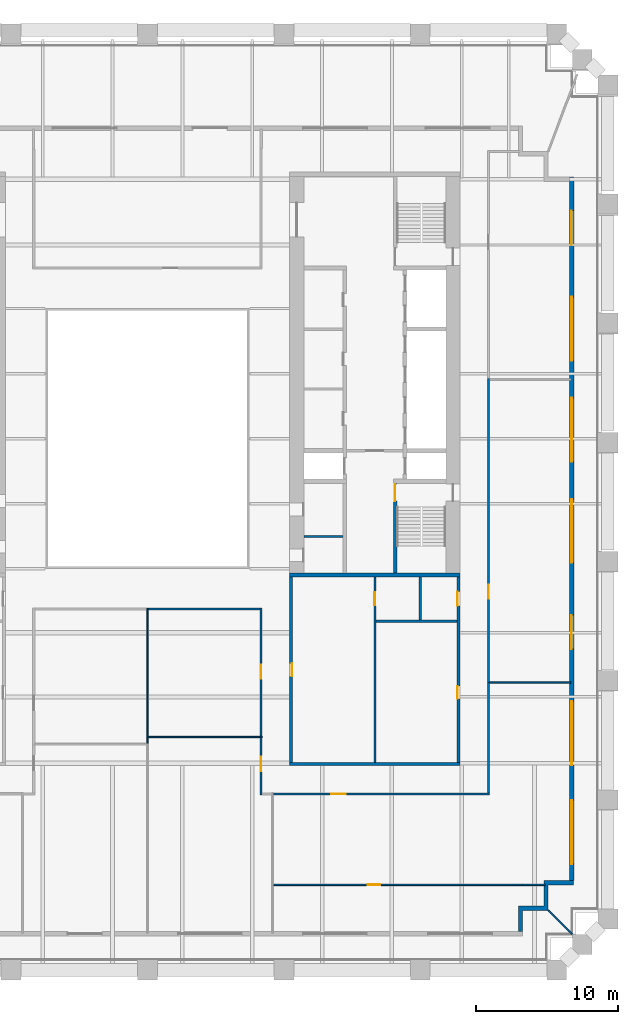
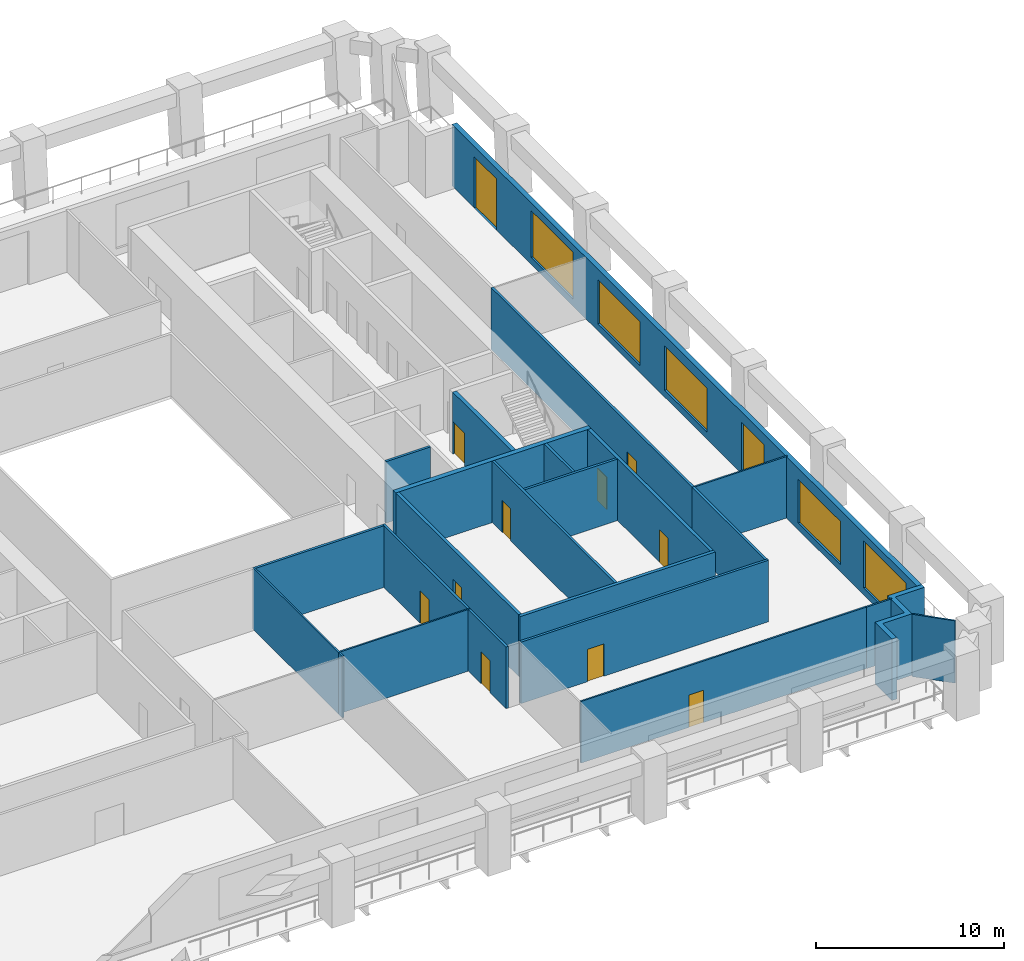
# One storey, part 4 of 8: 24 walls, 12 doors, 5 windows, 17 openings.
"""IFC4 building model written with IfcOpenShell, lengths in metres."""

from ifc_helpers import new_model, si_unit, direction, frame, frame_2d, origin, place, context, subcontext, project, spatial, polyline, rectangle, outline, extrude, material, layer, layer_set, type_object, element, fill, save


model = new_model("IFC4")

# Units and contexts
model_context = context("Model", 3, precision=1e-05, world=origin(), true_north=direction((0.0, 1.0)))
body_context = subcontext(model_context, "Body", "Model", "MODEL_VIEW")
ifc_project = project(units=[si_unit("LENGTHUNIT", "METRE"), si_unit("AREAUNIT", "SQUARE_METRE"), si_unit("VOLUMEUNIT", "CUBIC_METRE"), si_unit("PLANEANGLEUNIT", "RADIAN"), si_unit("MASSUNIT", "GRAM", prefix="KILO")], contexts=[model_context])

# Site, building, storey
site_placement = place(None, origin())
site = spatial("IfcSite", under=ifc_project, at=site_placement, CompositionType="ELEMENT")
building_placement = place(site_placement, origin())
building = spatial("IfcBuilding", under=site, at=building_placement, Name="Ogive Exchange Tower", CompositionType="ELEMENT")
storey_placement = place(building_placement, frame((0.0, 0.0, 77.39990234375)))
storey = spatial("IfcBuildingStorey", under=building, at=storey_placement, Name="L16", CompositionType="ELEMENT", Elevation=77.39990234375)

# Wall
ifc_material_1 = material(Name="Gypsum board partition")
ifc_layer_1 = layer(ifc_material_1, 0.14990234375)
ifc_layer_set_1 = layer_set([ifc_layer_1], Name="Core room partition 150 gypsum")
wall_type_1 = type_object("IfcWallType", Name="Core room partition 150 gypsum", PredefinedType="PARTITIONING", material=ifc_layer_set_1)
wall_1_placement = place(storey_placement, frame((11.0, 0.10009765625, 0.0), z_axis=(0.0, 0.0, 1.0), x_axis=(1.0, 0.0, 0.0)))
element("IfcWall", 1, at=wall_1_placement, inside=storey, type_object=wall_type_1, Name="E south room partition", PredefinedType="PARTITIONING", context=body_context, shape_type="SweptSolid", body=[
    extrude(rectangle(XDim=2.75, YDim=0.14990234375, at=frame_2d((1.375, 0.0))), origin(), (0.0, 0.0, 1.0), 4.0),
])

# Wall, opening, door
wall_2_placement = place(storey_placement, frame((16.0, -15.800048828125, 0.0), z_axis=(0.0, 0.0, 1.0), x_axis=(0.0, 1.0, 0.0)))
wall_2 = element("IfcWall", 2, at=wall_2_placement, inside=storey, type_object=wall_type_1, Name="E annex S column wall", PredefinedType="PARTITIONING", context=body_context, shape_type="SweptSolid", body=[
    extrude(rectangle(XDim=13.050048828125, YDim=0.14990234375, at=frame_2d((6.52490234375, 0.0))), origin(), (0.0, 0.0, 1.0), 4.0),
])
opening_1_placement = place(wall_2_placement, frame((11.08740234375, 0.0, 0.0)))
opening_1 = element("IfcOpeningElement", 3, at=opening_1_placement, cuts=wall_2, Name="Opening L16-C43", PredefinedType="OPENING", context=body_context, shape_type="SweptSolid", body=[
    extrude(rectangle(XDim=0.89990234375, YDim=2.10009765625, at=frame_2d((0.449951171875, 1.050048828125))), frame((0.0, 0.0849609375, 0.0), z_axis=(0.0, -1.0, 0.0), x_axis=(1.0, 0.0, 0.0)), (0.0, 0.0, 1.0), 0.169921875),
])
ifc_material_2 = material(Name="Steel fire door", Category="steel")
door_type_1 = type_object("IfcDoorType", Name="Riser door FD60 900 x 2100", OperationType="NOTDEFINED", PredefinedType="DOOR", material=ifc_material_2)
door_1_placement = place(opening_1_placement, frame((0.89990234375, 0.0, 0.0), z_axis=(0.0, 0.0, 1.0), x_axis=(-1.0, 0.0, 0.0)))
door_1 = element("IfcDoor", 4, at=door_1_placement, inside=storey, type_object=door_type_1, Name="Riser door", ObjectType="CD2", OperationType="SINGLE_SWING_LEFT", OverallHeight=2.10009765625, OverallWidth=0.89990234375, PredefinedType="DOOR", context=body_context, shape_type="SweptSolid", body=[
    extrude(rectangle(XDim=0.89990234375, YDim=2.10009765625, at=frame_2d((0.449951171875, 1.050048828125))), frame((0.0, 0.02490234375, 0.0), z_axis=(0.0, -1.0, 0.0), x_axis=(1.0, 0.0, 0.0)), (0.0, 0.0, 1.0), 0.050048828125),
])
fill(opening_1, door_1)

# Walls
wall_3_placement = place(storey_placement, frame((16.074951171875, -5.85009765625, 0.0), z_axis=(0.0, 0.0, 1.0), x_axis=(1.0, 0.0, 0.0)))
element("IfcWall", 5, at=wall_3_placement, inside=storey, type_object=wall_type_1, Name="E annex S wc strip wall 00", PredefinedType="PARTITIONING", context=body_context, shape_type="SweptSolid", body=[
    extrude(rectangle(XDim=5.72509765625, YDim=0.14990234375, at=frame_2d((2.862548828125, 0.0))), origin(), (0.0, 0.0, 1.0), 4.0),
])
wall_4_placement = place(storey_placement, frame((19.199951171875, -5.77490234375, 0.0), z_axis=(0.0, 0.0, 1.0), x_axis=(0.0, 1.0, 0.0)))
element("IfcWall", 6, at=wall_4_placement, inside=storey, type_object=wall_type_1, Name="E annex S wc partition 00", PredefinedType="PARTITIONING", context=body_context, shape_type="SweptSolid", body=[
    extrude(rectangle(XDim=3.02490234375, YDim=0.14990234375, at=frame_2d((1.512451171875, 0.0))), origin(), (0.0, 0.0, 1.0), 4.0),
])

# Wall, opening, door
ifc_material_3 = material(Name="Fire partition EI 60 150")
ifc_layer_2 = layer(ifc_material_3, 0.14990234375)
ifc_layer_set_2 = layer_set([ifc_layer_2], Name="Fire partition EI 60 150")
wall_type_2 = type_object("IfcWallType", Name="Fire partition EI 60 150", PredefinedType="PARTITIONING", material=ifc_layer_set_2)
wall_5_placement = place(storey_placement, frame((8.0, -18.074951171875, 0.0), z_axis=(0.0, 0.0, 1.0), x_axis=(0.0, 1.0, 0.0)))
wall_5 = element("IfcWall", 7, at=wall_5_placement, inside=storey, type_object=wall_type_2, Name="L16-PWL-021", PredefinedType="PARTITIONING", context=body_context, shape_type="SweptSolid", body=[
    extrude(rectangle(XDim=4.02490234375, YDim=0.14990234375, at=frame_2d((2.012451171875, 0.0))), origin(), (0.0, 0.0, 1.0), 4.0),
])
opening_2_placement = place(wall_5_placement, frame((1.675048828125, 0.0, 0.0)))
opening_2 = element("IfcOpeningElement", 8, at=opening_2_placement, cuts=wall_5, Name="Opening L16-I05", PredefinedType="OPENING", context=body_context, shape_type="SweptSolid", body=[
    extrude(rectangle(XDim=1.0, YDim=2.10009765625, at=frame_2d((0.5, 1.050048828125))), frame((0.0, 0.0849609375, 0.0), z_axis=(0.0, -1.0, 0.0), x_axis=(1.0, 0.0, 0.0)), (0.0, 0.0, 1.0), 0.169921875),
])
ifc_material_4 = material(Name="Fire door FD 30S 1000 x 2100")
door_type_2 = type_object("IfcDoorType", Name="Fire door FD 30S 1000 x 2100", OperationType="NOTDEFINED", PredefinedType="DOOR", material=ifc_material_4)
door_2_placement = place(opening_2_placement, origin())
door_2 = element("IfcDoor", 9, at=door_2_placement, inside=storey, type_object=door_type_2, Name="L16-IDR-005", ObjectType="DT3", OperationType="SINGLE_SWING_LEFT", OverallHeight=2.10009765625, OverallWidth=1.0, PredefinedType="DOOR", context=body_context, shape_type="SweptSolid", body=[
    extrude(rectangle(XDim=1.0, YDim=2.10009765625, at=frame_2d((0.5, 1.050048828125))), frame((0.0, 0.02490234375, 0.0), z_axis=(0.0, -1.0, 0.0), x_axis=(1.0, 0.0, 0.0)), (0.0, 0.0, 1.0), 0.050048828125),
])
fill(opening_2, door_2)

wall_6_placement = place(storey_placement, frame((8.0, -13.949951171875, 0.0), z_axis=(0.0, 0.0, 1.0), x_axis=(0.0, 1.0, 0.0)))
wall_6 = element("IfcWall", 10, at=wall_6_placement, inside=storey, type_object=wall_type_2, Name="L16-PWL-022", PredefinedType="PARTITIONING", context=body_context, shape_type="SweptSolid", body=[
    extrude(rectangle(XDim=9.02490234375, YDim=0.14990234375, at=frame_2d((4.512451171875, 0.0))), origin(), (0.0, 0.0, 1.0), 4.0),
])
opening_3_placement = place(wall_6_placement, frame((4.050048828125, 0.0, 0.0)))
opening_3 = element("IfcOpeningElement", 11, at=opening_3_placement, cuts=wall_6, Name="Opening L16-I06", PredefinedType="OPENING", context=body_context, shape_type="SweptSolid", body=[
    extrude(rectangle(XDim=1.0, YDim=2.10009765625, at=frame_2d((0.5, 1.050048828125))), frame((0.0, 0.0849609375, 0.0), z_axis=(0.0, -1.0, 0.0), x_axis=(1.0, 0.0, 0.0)), (0.0, 0.0, 1.0), 0.169921875),
])
door_3_placement = place(opening_3_placement, origin())
door_3 = element("IfcDoor", 12, at=door_3_placement, inside=storey, type_object=door_type_2, Name="L16-IDR-006", ObjectType="DT3", OperationType="SINGLE_SWING_LEFT", OverallHeight=2.10009765625, OverallWidth=1.0, PredefinedType="DOOR", context=body_context, shape_type="SweptSolid", body=[
    extrude(rectangle(XDim=1.0, YDim=2.10009765625, at=frame_2d((0.5, 1.050048828125))), frame((0.0, 0.02490234375, 0.0), z_axis=(0.0, -1.0, 0.0), x_axis=(1.0, 0.0, 0.0)), (0.0, 0.0, 1.0), 0.050048828125),
])
fill(opening_3, door_3)

# Wall
wall_7_placement = place(storey_placement, frame((7.925048828125, -5.0, 0.0), z_axis=(0.0, 0.0, 1.0), x_axis=(-1.0, 0.0, 0.0)))
element("IfcWall", 13, at=wall_7_placement, inside=storey, type_object=wall_type_2, Name="L16-PWL-023", PredefinedType="PARTITIONING", context=body_context, shape_type="SweptSolid", body=[
    extrude(rectangle(XDim=7.875, YDim=0.14990234375, at=frame_2d((3.9375, 0.0))), origin(), (0.0, 0.0, 1.0), 4.0),
])

# Wall, opening, door
wall_8_placement = place(storey_placement, frame((24.074951171875, -18.0, 0.0), z_axis=(0.0, 0.0, 1.0), x_axis=(-1.0, 0.0, 0.0)))
wall_8 = element("IfcWall", 14, at=wall_8_placement, inside=storey, type_object=wall_type_2, Name="L16-PWL-030", PredefinedType="PARTITIONING", context=body_context, shape_type="SweptSolid", body=[
    extrude(rectangle(XDim=15.224853515625, YDim=0.14990234375, at=frame_2d((7.6123046875, 0.0))), origin(), (0.0, 0.0, 1.0), 4.0),
])
opening_4_placement = place(wall_8_placement, frame((10.125, 0.0, 0.0)))
opening_4 = element("IfcOpeningElement", 15, at=opening_4_placement, cuts=wall_8, Name="Opening L16-I02", PredefinedType="OPENING", context=body_context, shape_type="SweptSolid", body=[
    extrude(rectangle(XDim=1.0, YDim=2.10009765625, at=frame_2d((0.5, 1.050048828125))), frame((0.0, 0.0849609375, 0.0), z_axis=(0.0, -1.0, 0.0), x_axis=(1.0, 0.0, 0.0)), (0.0, 0.0, 1.0), 0.169921875),
])
door_4_placement = place(opening_4_placement, origin())
door_4 = element("IfcDoor", 16, at=door_4_placement, inside=storey, type_object=door_type_2, Name="L16-IDR-002", ObjectType="DT3", OperationType="SINGLE_SWING_RIGHT", OverallHeight=2.10009765625, OverallWidth=1.0, PredefinedType="DOOR", context=body_context, shape_type="SweptSolid", body=[
    extrude(rectangle(XDim=1.0, YDim=2.10009765625, at=frame_2d((0.5, 1.050048828125))), frame((0.0, 0.02490234375, 0.0), z_axis=(0.0, -1.0, 0.0), x_axis=(1.0, 0.0, 0.0)), (0.0, 0.0, 1.0), 0.050048828125),
])
fill(opening_4, door_4)

# Wall
wall_9_placement = place(storey_placement, frame((24.0, -10.169921875, 0.0), z_axis=(0.0, 0.0, 1.0), x_axis=(0.0, -1.0, 0.0)))
element("IfcWall", 17, at=wall_9_placement, inside=storey, type_object=wall_type_2, Name="L16-PWL-031", PredefinedType="PARTITIONING", context=body_context, shape_type="SweptSolid", body=[
    extrude(rectangle(XDim=7.755126953125, YDim=0.14990234375, at=frame_2d((3.87744140625, 0.0))), origin(), (0.0, 0.0, 1.0), 4.0),
])

# Wall, opening, door
wall_10_placement = place(storey_placement, frame((24.0, 11.219970703125, 0.0), z_axis=(0.0, 0.0, 1.0), x_axis=(0.0, -1.0, 0.0)))
wall_10 = element("IfcWall", 18, at=wall_10_placement, inside=storey, type_object=wall_type_2, Name="L16-PWL-033", PredefinedType="PARTITIONING", context=body_context, shape_type="SweptSolid", body=[
    extrude(rectangle(XDim=21.389892578125, YDim=0.14990234375, at=frame_2d((10.69482421875, 0.0))), origin(), (0.0, 0.0, 1.0), 4.0),
])
opening_5_placement = place(wall_10_placement, frame((14.489990234375, 0.0, 0.0)))
opening_5 = element("IfcOpeningElement", 19, at=opening_5_placement, cuts=wall_10, Name="Opening L16-I03", PredefinedType="OPENING", context=body_context, shape_type="SweptSolid", body=[
    extrude(rectangle(XDim=1.0, YDim=2.10009765625, at=frame_2d((0.5, 1.050048828125))), frame((0.0, 0.0849609375, 0.0), z_axis=(0.0, -1.0, 0.0), x_axis=(1.0, 0.0, 0.0)), (0.0, 0.0, 1.0), 0.169921875),
])
door_5_placement = place(opening_5_placement, origin())
door_5 = element("IfcDoor", 20, at=door_5_placement, inside=storey, type_object=door_type_2, Name="L16-IDR-003", ObjectType="DT3", OperationType="SINGLE_SWING_RIGHT", OverallHeight=2.10009765625, OverallWidth=1.0, PredefinedType="DOOR", context=body_context, shape_type="SweptSolid", body=[
    extrude(rectangle(XDim=1.0, YDim=2.10009765625, at=frame_2d((0.5, 1.050048828125))), frame((0.0, 0.02490234375, 0.0), z_axis=(0.0, -1.0, 0.0), x_axis=(1.0, 0.0, 0.0)), (0.0, 0.0, 1.0), 0.050048828125),
])
fill(opening_5, door_5)

# Wall, openings, doors, windows
ifc_material_5 = material(Name="Precast concrete C40/50", Category="concrete")
ifc_layer_3 = layer(ifc_material_5, 0.300048828125)
ifc_layer_set_3 = layer_set([ifc_layer_3], Name="Limestone-faced wall 300")
wall_type_3 = type_object("IfcWallType", Name="Limestone-faced wall 300", PredefinedType="STANDARD", material=ifc_layer_set_3)
wall_11_placement = place(storey_placement, frame((29.85009765625, -24.10009765625, 0.0), z_axis=(0.0, 0.0, 1.0), x_axis=(0.0, 1.0, 0.0)))
wall_11 = element("IfcWall", 21, at=wall_11_placement, inside=storey, type_object=wall_type_3, Name="External wall E2", PredefinedType="STANDARD", context=body_context, shape_type="SweptSolid", body=[
    extrude(rectangle(XDim=49.5, YDim=0.300048828125, at=frame_2d((24.75, 0.0))), origin(), (0.0, 0.0, 1.0), 4.0),
])
opening_6_placement = place(wall_11_placement, frame((1.156982421875, 0.0, 0.449951171875)))
opening_6 = element("IfcOpeningElement", 22, at=opening_6_placement, cuts=wall_11, Name="Opening W1", PredefinedType="OPENING", context=body_context, shape_type="SweptSolid", body=[
    extrude(rectangle(XDim=4.5, YDim=3.050048828125, at=frame_2d((2.25, 1.52490234375))), frame((0.0, 0.159912109375, 0.0), z_axis=(0.0, -1.0, 0.0), x_axis=(1.0, 0.0, 0.0)), (0.0, 0.0, 1.0), 0.320068359375),
])
opening_7_placement = place(wall_11_placement, frame((8.121337890625, 0.0, 0.449951171875)))
opening_7 = element("IfcOpeningElement", 23, at=opening_7_placement, cuts=wall_11, Name="Opening W1E", PredefinedType="OPENING", context=body_context, shape_type="SweptSolid", body=[
    extrude(rectangle(XDim=4.5, YDim=2.824951171875, at=frame_2d((2.25, 1.41259765625))), frame((0.0, 0.159912109375, 0.0), z_axis=(0.0, -1.0, 0.0), x_axis=(1.0, 0.0, 0.0)), (0.0, 0.0, 1.0), 0.320068359375),
])
opening_8_placement = place(wall_11_placement, frame((16.28564453125, 0.0, 0.0)))
opening_8 = element("IfcOpeningElement", 24, at=opening_8_placement, cuts=wall_11, Name="Opening D1C", PredefinedType="OPENING", context=body_context, shape_type="SweptSolid", body=[
    extrude(rectangle(XDim=2.39990234375, YDim=3.324951171875, at=frame_2d((1.199951171875, 1.66259765625))), frame((0.0, 0.159912109375, 0.0), z_axis=(0.0, -1.0, 0.0), x_axis=(1.0, 0.0, 0.0)), (0.0, 0.0, 1.0), 0.320068359375),
])
opening_9_placement = place(wall_11_placement, frame((22.35009765625, 0.0, 0.449951171875)))
opening_9 = element("IfcOpeningElement", 25, at=opening_9_placement, cuts=wall_11, Name="Opening W1D", PredefinedType="OPENING", context=body_context, shape_type="SweptSolid", body=[
    extrude(rectangle(XDim=4.5, YDim=2.875, at=frame_2d((2.25, 1.4375))), frame((0.0, 0.159912109375, 0.0), z_axis=(0.0, -1.0, 0.0), x_axis=(1.0, 0.0, 0.0)), (0.0, 0.0, 1.0), 0.320068359375),
])
opening_10_placement = place(wall_11_placement, frame((29.464111328125, 0.0, 0.449951171875)))
opening_10 = element("IfcOpeningElement", 26, at=opening_10_placement, cuts=wall_11, Name="Opening W1D", PredefinedType="OPENING", context=body_context, shape_type="SweptSolid", body=[
    extrude(rectangle(XDim=4.5, YDim=2.875, at=frame_2d((2.25, 1.4375))), frame((0.0, 0.159912109375, 0.0), z_axis=(0.0, -1.0, 0.0), x_axis=(1.0, 0.0, 0.0)), (0.0, 0.0, 1.0), 0.320068359375),
])
opening_11_placement = place(wall_11_placement, frame((36.57861328125, 0.0, 0.449951171875)))
opening_11 = element("IfcOpeningElement", 27, at=opening_11_placement, cuts=wall_11, Name="Opening W1", PredefinedType="OPENING", context=body_context, shape_type="SweptSolid", body=[
    extrude(rectangle(XDim=4.5, YDim=3.050048828125, at=frame_2d((2.25, 1.52490234375))), frame((0.0, 0.159912109375, 0.0), z_axis=(0.0, -1.0, 0.0), x_axis=(1.0, 0.0, 0.0)), (0.0, 0.0, 1.0), 0.320068359375),
])
opening_12_placement = place(wall_11_placement, frame((44.742919921875, 0.0, 0.0)))
opening_12 = element("IfcOpeningElement", 28, at=opening_12_placement, cuts=wall_11, Name="Opening D1C", PredefinedType="OPENING", context=body_context, shape_type="SweptSolid", body=[
    extrude(rectangle(XDim=2.39990234375, YDim=3.324951171875, at=frame_2d((1.199951171875, 1.66259765625))), frame((0.0, 0.159912109375, 0.0), z_axis=(0.0, -1.0, 0.0), x_axis=(1.0, 0.0, 0.0)), (0.0, 0.0, 1.0), 0.320068359375),
])
ifc_material_6 = material(Name="Clear glass in bronze frame", Category="glass")
door_type_3 = type_object("IfcDoorType", Name="Sliding loggia door 2400 x 3325", OperationType="DOUBLE_DOOR_SLIDING", PredefinedType="DOOR", material=ifc_material_6)
door_6_placement = place(opening_8_placement, origin())
door_6 = element("IfcDoor", 29, at=door_6_placement, inside=storey, type_object=door_type_3, Name="Loggia door E02", OperationType="DOUBLE_DOOR_SLIDING", OverallHeight=3.324951171875, OverallWidth=2.39990234375, PredefinedType="DOOR", context=body_context, shape_type="SweptSolid", body=[
    extrude(rectangle(XDim=2.39990234375, YDim=3.324951171875, at=frame_2d((1.199951171875, 1.66259765625))), frame((0.0, 0.02490234375, 0.0), z_axis=(0.0, -1.0, 0.0), x_axis=(1.0, 0.0, 0.0)), (0.0, 0.0, 1.0), 0.050048828125),
])
fill(opening_8, door_6)
door_7_placement = place(opening_12_placement, origin())
door_7 = element("IfcDoor", 30, at=door_7_placement, inside=storey, type_object=door_type_3, Name="Loggia door E06", OperationType="DOUBLE_DOOR_SLIDING", OverallHeight=3.324951171875, OverallWidth=2.39990234375, PredefinedType="DOOR", context=body_context, shape_type="SweptSolid", body=[
    extrude(rectangle(XDim=2.39990234375, YDim=3.324951171875, at=frame_2d((1.199951171875, 1.66259765625))), frame((0.0, 0.02490234375, 0.0), z_axis=(0.0, -1.0, 0.0), x_axis=(1.0, 0.0, 0.0)), (0.0, 0.0, 1.0), 0.050048828125),
])
fill(opening_12, door_7)
window_type_1 = type_object("IfcWindowType", Name="Twin lancet window 4500 x 2825", PartitioningType="DOUBLE_PANEL_VERTICAL", PredefinedType="WINDOW", material=ifc_material_6)
window_1_placement = place(opening_7_placement, origin())
window_1 = element("IfcWindow", 31, at=window_1_placement, inside=storey, type_object=window_type_1, Name="Window E01", OverallHeight=2.824951171875, OverallWidth=4.5, PartitioningType="DOUBLE_PANEL_VERTICAL", PredefinedType="WINDOW", context=body_context, shape_type="SweptSolid", body=[
    extrude(rectangle(XDim=4.5, YDim=2.824951171875, at=frame_2d((2.25, 1.41259765625))), frame((0.0, 0.030029296875, 0.0), z_axis=(0.0, -1.0, 0.0), x_axis=(1.0, 0.0, 0.0)), (0.0, 0.0, 1.0), 0.06005859375),
])
fill(opening_7, window_1)
window_type_2 = type_object("IfcWindowType", Name="Twin lancet window 4500 x 2875", PartitioningType="DOUBLE_PANEL_VERTICAL", PredefinedType="WINDOW", material=ifc_material_6)
window_2_placement = place(opening_9_placement, origin())
window_2 = element("IfcWindow", 32, at=window_2_placement, inside=storey, type_object=window_type_2, Name="Window E03", OverallHeight=2.875, OverallWidth=4.5, PartitioningType="DOUBLE_PANEL_VERTICAL", PredefinedType="WINDOW", context=body_context, shape_type="SweptSolid", body=[
    extrude(rectangle(XDim=4.5, YDim=2.875, at=frame_2d((2.25, 1.4375))), frame((0.0, 0.030029296875, 0.0), z_axis=(0.0, -1.0, 0.0), x_axis=(1.0, 0.0, 0.0)), (0.0, 0.0, 1.0), 0.06005859375),
])
fill(opening_9, window_2)
window_3_placement = place(opening_10_placement, origin())
window_3 = element("IfcWindow", 33, at=window_3_placement, inside=storey, type_object=window_type_2, Name="Window E04", OverallHeight=2.875, OverallWidth=4.5, PartitioningType="DOUBLE_PANEL_VERTICAL", PredefinedType="WINDOW", context=body_context, shape_type="SweptSolid", body=[
    extrude(rectangle(XDim=4.5, YDim=2.875, at=frame_2d((2.25, 1.4375))), frame((0.0, 0.030029296875, 0.0), z_axis=(0.0, -1.0, 0.0), x_axis=(1.0, 0.0, 0.0)), (0.0, 0.0, 1.0), 0.06005859375),
])
fill(opening_10, window_3)
window_type_3 = type_object("IfcWindowType", Name="Twin lancet window 4500 x 3050", PartitioningType="DOUBLE_PANEL_VERTICAL", PredefinedType="WINDOW", material=ifc_material_6)
window_4_placement = place(opening_6_placement, origin())
window_4 = element("IfcWindow", 34, at=window_4_placement, inside=storey, type_object=window_type_3, Name="Window E00", OverallHeight=3.050048828125, OverallWidth=4.5, PartitioningType="DOUBLE_PANEL_VERTICAL", PredefinedType="WINDOW", context=body_context, shape_type="SweptSolid", body=[
    extrude(rectangle(XDim=4.5, YDim=3.050048828125, at=frame_2d((2.25, 1.52490234375))), frame((0.0, 0.030029296875, 0.0), z_axis=(0.0, -1.0, 0.0), x_axis=(1.0, 0.0, 0.0)), (0.0, 0.0, 1.0), 0.06005859375),
])
fill(opening_6, window_4)
window_5_placement = place(opening_11_placement, origin())
window_5 = element("IfcWindow", 35, at=window_5_placement, inside=storey, type_object=window_type_3, Name="Window E05", OverallHeight=3.050048828125, OverallWidth=4.5, PartitioningType="DOUBLE_PANEL_VERTICAL", PredefinedType="WINDOW", context=body_context, shape_type="SweptSolid", body=[
    extrude(rectangle(XDim=4.5, YDim=3.050048828125, at=frame_2d((2.25, 1.52490234375))), frame((0.0, 0.030029296875, 0.0), z_axis=(0.0, -1.0, 0.0), x_axis=(1.0, 0.0, 0.0)), (0.0, 0.0, 1.0), 0.06005859375),
])
fill(opening_11, window_5)

# Walls
wall_12_placement = place(storey_placement, origin())
element("IfcWall", 36, at=wall_12_placement, inside=storey, type_object=wall_type_3, Name="External corner wall C1", PredefinedType="STANDARD", context=body_context, shape_type="SweptSolid", body=[
    extrude(outline(polyline([(27.89990234375, -25.89990234375), (27.89990234375, -24.10009765625), (30.0, -24.10009765625), (30.0, -24.39990234375), (28.199951171875, -24.39990234375), (28.199951171875, -26.199951171875), (26.39990234375, -26.199951171875), (26.39990234375, -27.699951171875), (26.10009765625, -27.699951171875), (26.10009765625, -25.89990234375), (27.89990234375, -25.89990234375)])), origin(), (0.0, 0.0, 1.0), 4.0),
])
ifc_material_7 = material(Name="Laminated safety glass in steel frame", Category="steel")
ifc_layer_4 = layer(ifc_material_7, 0.10009765625)
ifc_layer_set_4 = layer_set([ifc_layer_4], Name="Loggia end screen 100")
wall_type_4 = type_object("IfcWallType", Name="Loggia end screen 100", PredefinedType="STANDARD", material=ifc_layer_set_4)
wall_13_placement = place(storey_placement, frame((28.199951171875, -26.199951171875, -0.0498046875), z_axis=(0.0, 0.0, 1.0), x_axis=(0.707106781187, -0.707106781187, 0.0)))
element("IfcWall", 37, at=wall_13_placement, inside=storey, type_object=wall_type_4, Name="Loggia end screen C1", PredefinedType="STANDARD", context=body_context, shape_type="SweptSolid", body=[
    extrude(rectangle(XDim=2.384521484375, YDim=0.10009765625, at=frame_2d((1.1923828125, 0.0))), origin(), (0.0, 0.0, 1.0), 4.0498046875),
])
ifc_material_8 = material(Name="Partition 100 gypsum")
ifc_layer_5 = layer(ifc_material_8, 0.10009765625)
ifc_layer_set_5 = layer_set([ifc_layer_5], Name="Partition 100 gypsum")
wall_type_5 = type_object("IfcWallType", Name="Partition 100 gypsum", PredefinedType="PARTITIONING", material=ifc_layer_set_5)
wall_14_placement = place(storey_placement, frame((0.0, -14.449951171875, 0.0), z_axis=(0.0, 0.0, 1.0), x_axis=(0.0, 1.0, 0.0)))
element("IfcWall", 38, at=wall_14_placement, inside=storey, type_object=wall_type_5, Name="L16-PWL-017", PredefinedType="PARTITIONING", context=body_context, shape_type="SweptSolid", body=[
    extrude(rectangle(XDim=0.39990234375, YDim=0.10009765625, at=frame_2d((0.199951171875, 0.0))), origin(), (0.0, 0.0, 1.0), 4.0),
])
wall_15_placement = place(storey_placement, frame((0.0, -14.050048828125, 0.0), z_axis=(0.0, 0.0, 1.0), x_axis=(0.0, 1.0, 0.0)))
element("IfcWall", 39, at=wall_15_placement, inside=storey, type_object=wall_type_5, Name="L16-PWL-018", PredefinedType="PARTITIONING", context=body_context, shape_type="SweptSolid", body=[
    extrude(rectangle(XDim=9.125, YDim=0.10009765625, at=frame_2d((4.5625, 0.0))), origin(), (0.0, 0.0, 1.0), 4.0),
])
wall_16_placement = place(storey_placement, frame((0.050048828125, -14.0, 0.0), z_axis=(0.0, 0.0, 1.0), x_axis=(1.0, 0.0, 0.0)))
element("IfcWall", 40, at=wall_16_placement, inside=storey, type_object=wall_type_5, Name="L16-PWL-019", PredefinedType="PARTITIONING", context=body_context, shape_type="SweptSolid", body=[
    extrude(rectangle(XDim=8.02490234375, YDim=0.10009765625, at=frame_2d((4.012451171875, 0.0))), origin(), (0.0, 0.0, 1.0), 4.0),
])

# Wall, opening, door
wall_17_placement = place(storey_placement, frame((8.85009765625, -24.39990234375, 0.0), z_axis=(0.0, 0.0, 1.0), x_axis=(1.0, 0.0, 0.0)))
wall_17 = element("IfcWall", 41, at=wall_17_placement, inside=storey, type_object=wall_type_5, Name="L16-PWL-028", PredefinedType="PARTITIONING", context=body_context, shape_type="SweptSolid", body=[
    extrude(rectangle(XDim=17.559814453125, YDim=0.10009765625, at=frame_2d((8.77978515625, 0.0))), origin(), (0.0, 0.0, 1.0), 4.0),
])
opening_13_placement = place(wall_17_placement, frame((6.64990234375, 0.0, 0.0)))
opening_13 = element("IfcOpeningElement", 42, at=opening_13_placement, cuts=wall_17, Name="Opening L16-I01", PredefinedType="OPENING", context=body_context, shape_type="SweptSolid", body=[
    extrude(rectangle(XDim=0.89990234375, YDim=2.10009765625, at=frame_2d((0.449951171875, 1.050048828125))), frame((0.0, 0.06005859375, 0.0), z_axis=(0.0, -1.0, 0.0), x_axis=(1.0, 0.0, 0.0)), (0.0, 0.0, 1.0), 0.1201171875),
])
ifc_material_9 = material(Name="Door 900 x 2100")
door_type_4 = type_object("IfcDoorType", Name="Door 900 x 2100", OperationType="NOTDEFINED", PredefinedType="DOOR", material=ifc_material_9)
door_8_placement = place(opening_13_placement, frame((0.89990234375, 0.0, 0.0), z_axis=(0.0, 0.0, 1.0), x_axis=(-1.0, 0.0, 0.0)))
door_8 = element("IfcDoor", 43, at=door_8_placement, inside=storey, type_object=door_type_4, Name="L16-IDR-001", ObjectType="DT1", OperationType="SINGLE_SWING_LEFT", OverallHeight=2.10009765625, OverallWidth=0.89990234375, PredefinedType="DOOR", context=body_context, shape_type="SweptSolid", body=[
    extrude(rectangle(XDim=0.89990234375, YDim=2.10009765625, at=frame_2d((0.449951171875, 1.050048828125))), frame((0.0, 0.02490234375, 0.0), z_axis=(0.0, -1.0, 0.0), x_axis=(1.0, 0.0, 0.0)), (0.0, 0.0, 1.0), 0.050048828125),
])
fill(opening_13, door_8)

# Walls
wall_18_placement = place(storey_placement, frame((24.074951171875, -10.169921875, 0.0), z_axis=(0.0, 0.0, 1.0), x_axis=(1.0, 0.0, 0.0)))
element("IfcWall", 44, at=wall_18_placement, inside=storey, type_object=wall_type_5, Name="L16-PWL-032", PredefinedType="PARTITIONING", context=body_context, shape_type="SweptSolid", body=[
    extrude(rectangle(XDim=5.72509765625, YDim=0.10009765625, at=frame_2d((2.862548828125, 0.0))), origin(), (0.0, 0.0, 1.0), 4.0),
])
wall_19_placement = place(storey_placement, frame((26.409912109375, -24.409912109375, 0.0), z_axis=(0.0, 0.0, 1.0), x_axis=(1.0, 0.0, 0.0)))
element("IfcWall", 45, at=wall_19_placement, inside=storey, type_object=wall_type_5, Name="L16-PWL-037", PredefinedType="PARTITIONING", context=body_context, shape_type="SweptSolid", body=[
    extrude(rectangle(XDim=1.590087890625, YDim=0.10009765625, at=frame_2d((0.794921875, 0.0))), origin(), (0.0, 0.0, 1.0), 4.0),
])

# Wall, openings, doors
ifc_material_10 = material(Name="Concrete C70/85", Category="concrete")
ifc_layer_6 = layer(ifc_material_10, 0.199951171875)
ifc_layer_set_6 = layer_set([ifc_layer_6], Name="RC core wall 200 C70/85")
wall_type_6 = type_object("IfcWallType", Name="RC core wall 200 C70/85", PredefinedType="SHEAR", material=ifc_layer_set_6)
wall_20_placement = place(storey_placement, frame((21.89990234375, -15.800048828125, 0.0), z_axis=(0.0, 0.0, 1.0), x_axis=(0.0, 1.0, 0.0)))
wall_20 = element("IfcWall", 46, at=wall_20_placement, inside=storey, type_object=wall_type_6, Name="E annex S outer wall", PredefinedType="SHEAR", context=body_context, shape_type="SweptSolid", body=[
    extrude(rectangle(XDim=13.050048828125, YDim=0.199951171875, at=frame_2d((6.52490234375, 0.0))), origin(), (0.0, 0.0, 1.0), 4.0),
])
opening_14_placement = place(wall_20_placement, frame((4.487548828125, 0.0, 0.0)))
opening_14 = element("IfcOpeningElement", 47, at=opening_14_placement, cuts=wall_20, Name="Opening L16-C41", PredefinedType="OPENING", context=body_context, shape_type="SweptSolid", body=[
    extrude(rectangle(XDim=0.89990234375, YDim=2.10009765625, at=frame_2d((0.449951171875, 1.050048828125))), frame((0.0, 0.10986328125, 0.0), z_axis=(0.0, -1.0, 0.0), x_axis=(1.0, 0.0, 0.0)), (0.0, 0.0, 1.0), 0.219970703125),
])
opening_15_placement = place(wall_20_placement, frame((11.03759765625, 0.0, 0.0)))
opening_15 = element("IfcOpeningElement", 48, at=opening_15_placement, cuts=wall_20, Name="Opening L16-C42", PredefinedType="OPENING", context=body_context, shape_type="SweptSolid", body=[
    extrude(rectangle(XDim=1.0, YDim=2.10009765625, at=frame_2d((0.5, 1.050048828125))), frame((0.0, 0.10986328125, 0.0), z_axis=(0.0, -1.0, 0.0), x_axis=(1.0, 0.0, 0.0)), (0.0, 0.0, 1.0), 0.219970703125),
])
ifc_material_11 = material(Name="Timber fire door", Category="wood")
door_type_5 = type_object("IfcDoorType", Name="Accessible WC door FD30S 1000 x 2100", OperationType="NOTDEFINED", PredefinedType="DOOR", material=ifc_material_11)
door_9_placement = place(opening_15_placement, origin())
door_9 = element("IfcDoor", 49, at=door_9_placement, inside=storey, type_object=door_type_5, Name="Accessible WC door", ObjectType="CD7", OperationType="SINGLE_SWING_RIGHT", OverallHeight=2.10009765625, OverallWidth=1.0, PredefinedType="DOOR", context=body_context, shape_type="SweptSolid", body=[
    extrude(rectangle(XDim=1.0, YDim=2.10009765625, at=frame_2d((0.5, 1.050048828125))), frame((0.0, 0.10009765625, 0.0), z_axis=(0.0, -1.0, 0.0), x_axis=(1.0, 0.0, 0.0)), (0.0, 0.0, 1.0), 0.050048828125),
])
fill(opening_15, door_9)
door_10_placement = place(opening_14_placement, origin())
door_10 = element("IfcDoor", 50, at=door_10_placement, inside=storey, type_object=door_type_1, Name="Riser door", ObjectType="CD2", OperationType="SINGLE_SWING_RIGHT", OverallHeight=2.10009765625, OverallWidth=0.89990234375, PredefinedType="DOOR", context=body_context, shape_type="SweptSolid", body=[
    extrude(rectangle(XDim=0.89990234375, YDim=2.10009765625, at=frame_2d((0.449951171875, 1.050048828125))), frame((0.0, 0.10009765625, 0.0), z_axis=(0.0, -1.0, 0.0), x_axis=(1.0, 0.0, 0.0)), (0.0, 0.0, 1.0), 0.050048828125),
])
fill(opening_14, door_10)

# Wall, opening, door
wall_21_placement = place(storey_placement, frame((10.10009765625, -15.800048828125, 0.0), z_axis=(0.0, 0.0, 1.0), x_axis=(0.0, 1.0, 0.0)))
wall_21 = element("IfcWall", 51, at=wall_21_placement, inside=storey, type_object=wall_type_6, Name="E annex S inner wall", PredefinedType="SHEAR", context=body_context, shape_type="SweptSolid", body=[
    extrude(rectangle(XDim=13.050048828125, YDim=0.199951171875, at=frame_2d((6.52490234375, 0.0))), origin(), (0.0, 0.0, 1.0), 4.0),
])
opening_16_placement = place(wall_21_placement, frame((6.074951171875, 0.0, 0.0)))
opening_16 = element("IfcOpeningElement", 52, at=opening_16_placement, cuts=wall_21, Name="Opening L16-C44", PredefinedType="OPENING", context=body_context, shape_type="SweptSolid", body=[
    extrude(rectangle(XDim=0.89990234375, YDim=2.10009765625, at=frame_2d((0.449951171875, 1.050048828125))), frame((0.0, 0.10986328125, 0.0), z_axis=(0.0, -1.0, 0.0), x_axis=(1.0, 0.0, 0.0)), (0.0, 0.0, 1.0), 0.219970703125),
])
door_11_placement = place(opening_16_placement, frame((0.89990234375, -0.14990234375, 0.0), z_axis=(0.0, 0.0, 1.0), x_axis=(-1.0, 0.0, 0.0)))
door_11 = element("IfcDoor", 53, at=door_11_placement, inside=storey, type_object=door_type_1, Name="Riser door", ObjectType="CD2", OperationType="SINGLE_SWING_RIGHT", OverallHeight=2.10009765625, OverallWidth=0.89990234375, PredefinedType="DOOR", context=body_context, shape_type="SweptSolid", body=[
    extrude(rectangle(XDim=0.89990234375, YDim=2.10009765625, at=frame_2d((0.449951171875, 1.050048828125))), frame((0.0, -0.0498046875, 0.0), z_axis=(0.0, -1.0, 0.0), x_axis=(1.0, 0.0, 0.0)), (0.0, 0.0, 1.0), 0.050048828125),
])
fill(opening_16, door_11)

# Wall
wall_22_placement = place(storey_placement, frame((10.0, -15.89990234375, 0.0), z_axis=(0.0, 0.0, 1.0), x_axis=(1.0, 0.0, 0.0)))
element("IfcWall", 54, at=wall_22_placement, inside=storey, type_object=wall_type_6, Name="E annex S end wall", PredefinedType="SHEAR", context=body_context, shape_type="SweptSolid", body=[
    extrude(rectangle(XDim=12.0, YDim=0.199951171875, at=frame_2d((6.0, 0.0))), origin(), (0.0, 0.0, 1.0), 4.0),
])

# Wall, opening, door
ifc_layer_7 = layer(ifc_material_10, 0.25)
ifc_layer_set_7 = layer_set([ifc_layer_7], Name="RC core wall 250 C70/85")
wall_type_7 = type_object("IfcWallType", Name="RC core wall 250 C70/85", PredefinedType="SHEAR", material=ifc_layer_set_7)
wall_23_placement = place(storey_placement, frame((17.425048828125, -2.449951171875, 0.0), z_axis=(0.0, 0.0, 1.0), x_axis=(0.0, 1.0, 0.0)))
wall_23 = element("IfcWall", 55, at=wall_23_placement, inside=storey, type_object=wall_type_7, Name="E stair S front wall", PredefinedType="SHEAR", context=body_context, shape_type="SweptSolid", body=[
    extrude(rectangle(XDim=6.300048828125, YDim=0.25, at=frame_2d((3.14990234375, 0.0))), origin(), (0.0, 0.0, 1.0), 4.0),
])
opening_17_placement = place(wall_23_placement, frame((5.050048828125, 0.0, 0.0)))
opening_17 = element("IfcOpeningElement", 56, at=opening_17_placement, cuts=wall_23, Name="Opening L16-C35", PredefinedType="OPENING", context=body_context, shape_type="SweptSolid", body=[
    extrude(rectangle(XDim=1.199951171875, YDim=2.10009765625, at=frame_2d((0.60009765625, 1.050048828125))), frame((0.0, 0.135009765625, 0.0), z_axis=(0.0, -1.0, 0.0), x_axis=(1.0, 0.0, 0.0)), (0.0, 0.0, 1.0), 0.27001953125),
])
door_type_6 = type_object("IfcDoorType", Name="Stair door FD90 1200 x 2100", OperationType="NOTDEFINED", PredefinedType="DOOR", material=ifc_material_2)
door_12_placement = place(opening_17_placement, frame((1.199951171875, 0.0, 0.0), z_axis=(0.0, 0.0, 1.0), x_axis=(-1.0, 0.0, 0.0)))
door_12 = element("IfcDoor", 57, at=door_12_placement, inside=storey, type_object=door_type_6, Name="Stair door", ObjectType="CD5", OperationType="SINGLE_SWING_RIGHT", OverallHeight=2.10009765625, OverallWidth=1.199951171875, PredefinedType="DOOR", context=body_context, shape_type="SweptSolid", body=[
    extrude(rectangle(XDim=1.199951171875, YDim=2.10009765625, at=frame_2d((0.60009765625, 1.050048828125))), frame((0.0, 0.02490234375, 0.0), z_axis=(0.0, -1.0, 0.0), x_axis=(1.0, 0.0, 0.0)), (0.0, 0.0, 1.0), 0.050048828125),
])
fill(opening_17, door_12)

# Wall
ifc_layer_8 = layer(ifc_material_10, 0.300048828125)
ifc_layer_set_8 = layer_set([ifc_layer_8], Name="RC core wall 300 C70/85")
wall_type_8 = type_object("IfcWallType", Name="RC core wall 300 C70/85", PredefinedType="SHEAR", material=ifc_layer_set_8)
wall_24_placement = place(storey_placement, frame((10.0, -2.60009765625, 0.0), z_axis=(0.0, 0.0, 1.0), x_axis=(1.0, 0.0, 0.0)))
element("IfcWall", 58, at=wall_24_placement, inside=storey, type_object=wall_type_8, Name="E south end wall", PredefinedType="SHEAR", context=body_context, shape_type="SweptSolid", body=[
    extrude(rectangle(XDim=12.0, YDim=0.300048828125, at=frame_2d((6.0, 0.0))), origin(), (0.0, 0.0, 1.0), 4.0),
])

save(model, "model.ifc")
